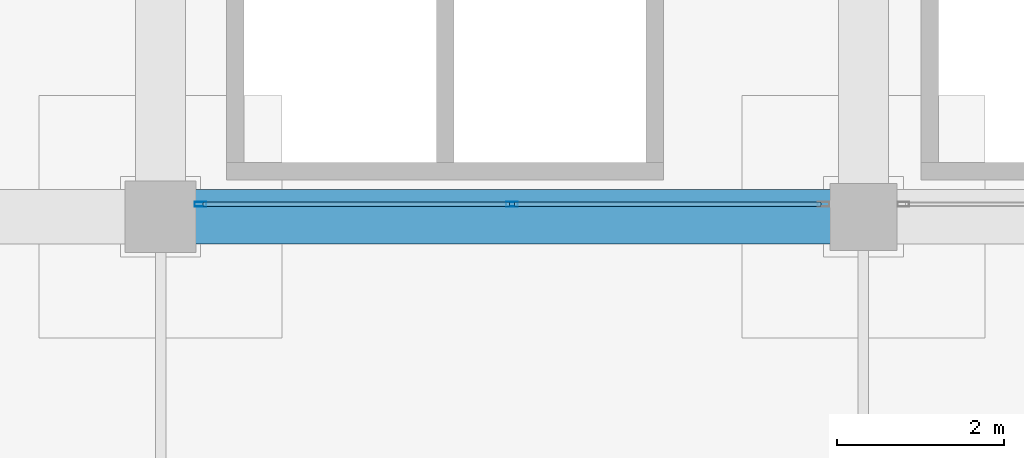
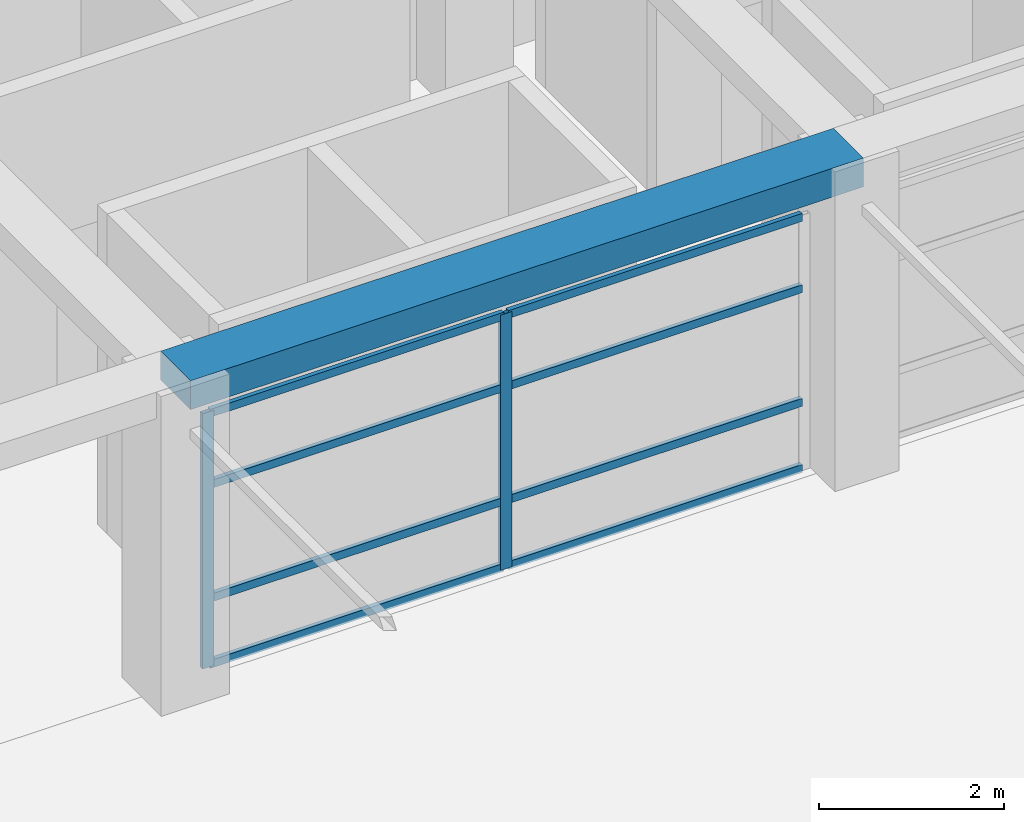
# One storey, part 33 of 85: 10 members, 1 beam, 1 element without a shape of its own.
"""IFC4 building model written with IfcOpenShell, lengths in metres."""

from ifc_helpers import new_model, si_unit, direction, frame, origin, origin_2d, place, context, subcontext, project, spatial, rectangle, hollow_rectangle, extrude, material, material_profile, profile_set, type_object, element, aggregate, save


model = new_model("IFC4")

# Units and contexts
model_context = context("Model", 3, precision=1e-05, world=origin(), true_north=direction((0.0, 1.0)))
body_context = subcontext(model_context, "Body", "Model", "MODEL_VIEW")
ifc_project = project(units=[si_unit("LENGTHUNIT", "METRE"), si_unit("AREAUNIT", "SQUARE_METRE"), si_unit("VOLUMEUNIT", "CUBIC_METRE"), si_unit("PLANEANGLEUNIT", "RADIAN"), si_unit("MASSUNIT", "GRAM", prefix="KILO")], contexts=[model_context])

# Site, building, storey
site_placement = place(None, origin())
site = spatial("IfcSite", under=ifc_project, at=site_placement, CompositionType="ELEMENT")
building_placement = place(site_placement, origin())
building = spatial("IfcBuilding", under=site, at=building_placement, Name="Almacenes y Pasaje Nevantli", CompositionType="ELEMENT")
storey_placement = place(building_placement, frame((0.0, 0.0, 22.199951171875)))
storey = spatial("IfcBuildingStorey", under=building, at=storey_placement, Name="L05", CompositionType="ELEMENT", Elevation=22.199951171875)

# Beam
ifc_material_1 = material(Name="Concrete C35/45", Category="concrete")
ifc_material_profile_1 = material_profile(ifc_material_1, rectangle(XDim=0.64990234375, YDim=0.3798828125, at=origin_2d()), Name="RC-BM-650x380")
ifc_profile_set_1 = profile_set([ifc_material_profile_1], Name="Concrete C35/45")
beam_type = type_object("IfcBeamType", Name="BM-RC-650x380", PredefinedType="BEAM", material=ifc_profile_set_1)
beam_placement = place(storey_placement, frame((117.60009765625, 67.199951171875, 4.030029296875), z_axis=(1.0, 0.0, 0.0), x_axis=(0.0, 1.0, 0.0)))
element("IfcBeam", 1, at=beam_placement, inside=storey, type_object=beam_type, Name="L05 East-West Reinforced Concrete Beam #3314", PredefinedType="BEAM", context=body_context, shape_type="SweptSolid", body=[
    extrude(rectangle(XDim=0.64990234375, YDim=0.3798828125, at=origin_2d()), origin(), (0.0, 0.0, 1.0), 8.39990234375),
])

# Curtain wall, members
ifc_material_2 = material(Name="Thermally Broken Aluminium and Low-E Glass", Category="aluminium")
curtain_wall_type = type_object("IfcCurtainWallType", Name="CW-STF-ATRIUM", PredefinedType="USERDEFINED", material=ifc_material_2)
curtain_wall_placement = place(storey_placement, origin())
curtain_wall = element("IfcCurtainWall", 2, at=curtain_wall_placement, inside=storey, type_object=curtain_wall_type, Name="L05 Sky-Lobby South Terrace Glazing Bay 15", ObjectType="STOREFRONT GLAZING", PredefinedType="USERDEFINED")
ifc_material_3 = material(Name="Thermally Broken Anodized Aluminium", Category="aluminium")
ifc_material_profile_2 = material_profile(ifc_material_3, hollow_rectangle(XDim=0.054931640625, YDim=0.139892578125, WallThickness=0.00341796875, at=origin_2d()), Name="ALU-MUL-55x140")
ifc_profile_set_2 = profile_set([ifc_material_profile_2], Name="Thermally Broken Anodized Aluminium")
member_type_1 = type_object("IfcMemberType", Name="CW-MUL-160", PredefinedType="MULLION", material=ifc_profile_set_2)
member_1_placement = place(storey_placement, frame((118.077392578125, 67.35009765625, 0.0), z_axis=(0.0, 0.0, 1.0), x_axis=(0.0, 1.0, 0.0)))
member_1 = element("IfcMember", 3, at=member_1_placement, type_object=member_type_1, Name="CW-L05-087 mullion 1", PredefinedType="MULLION", context=body_context, shape_type="SweptSolid", body=[
    extrude(hollow_rectangle(XDim=0.054931640625, YDim=0.139892578125, WallThickness=0.00341796875, at=origin_2d()), origin(), (0.0, 0.0, 1.0), 3.3701171875),
])
member_2_placement = place(storey_placement, frame((121.800048828125, 67.35009765625, 0.0), z_axis=(0.0, 0.0, 1.0), x_axis=(0.0, 1.0, 0.0)))
member_2 = element("IfcMember", 4, at=member_2_placement, type_object=member_type_1, Name="CW-L05-087 mullion 2", PredefinedType="MULLION", context=body_context, shape_type="SweptSolid", body=[
    extrude(hollow_rectangle(XDim=0.054931640625, YDim=0.139892578125, WallThickness=0.00341796875, at=origin_2d()), origin(), (0.0, 0.0, 1.0), 3.3701171875),
])
ifc_material_4 = material(Name="Thermally Broken Anodized Aluminium", Category="aluminium")
ifc_material_profile_3 = material_profile(ifc_material_4, hollow_rectangle(XDim=0.054931640625, YDim=0.10498046875, WallThickness=0.003173828125, at=origin_2d()), Name="ALU-TRN-55x105")
ifc_profile_set_3 = profile_set([ifc_material_profile_3], Name="Thermally Broken Anodized Aluminium")
member_type_2 = type_object("IfcMemberType", Name="CW-TRN-120", PredefinedType="USERDEFINED", material=ifc_profile_set_3)
member_3_placement = place(storey_placement, frame((118.10498046875, 67.35009765625, 0.027587890625), z_axis=(1.0, 0.0, 0.0), x_axis=(0.0, 1.0, 0.0)))
member_3 = element("IfcMember", 5, at=member_3_placement, type_object=member_type_2, Name="CW-L05-087 transom 1.1", ObjectType="TRANSOM", PredefinedType="USERDEFINED", context=body_context, shape_type="SweptSolid", body=[
    extrude(hollow_rectangle(XDim=0.054931640625, YDim=0.10498046875, WallThickness=0.003173828125, at=origin_2d()), origin(), (0.0, 0.0, 1.0), 3.66748046875),
])
member_4_placement = place(storey_placement, frame((118.10498046875, 67.35009765625, 0.900146484375), z_axis=(1.0, 0.0, 0.0), x_axis=(0.0, 1.0, 0.0)))
member_4 = element("IfcMember", 6, at=member_4_placement, type_object=member_type_2, Name="CW-L05-087 transom 1.2", ObjectType="TRANSOM", PredefinedType="USERDEFINED", context=body_context, shape_type="SweptSolid", body=[
    extrude(hollow_rectangle(XDim=0.054931640625, YDim=0.10498046875, WallThickness=0.003173828125, at=origin_2d()), origin(), (0.0, 0.0, 1.0), 3.66748046875),
])
member_5_placement = place(storey_placement, frame((118.10498046875, 67.35009765625, 2.400146484375), z_axis=(1.0, 0.0, 0.0), x_axis=(0.0, 1.0, 0.0)))
member_5 = element("IfcMember", 7, at=member_5_placement, type_object=member_type_2, Name="CW-L05-087 transom 1.3", ObjectType="TRANSOM", PredefinedType="USERDEFINED", context=body_context, shape_type="SweptSolid", body=[
    extrude(hollow_rectangle(XDim=0.054931640625, YDim=0.10498046875, WallThickness=0.003173828125, at=origin_2d()), origin(), (0.0, 0.0, 1.0), 3.66748046875),
])
member_6_placement = place(storey_placement, frame((118.10498046875, 67.35009765625, 3.342529296875), z_axis=(1.0, 0.0, 0.0), x_axis=(0.0, 1.0, 0.0)))
member_6 = element("IfcMember", 8, at=member_6_placement, type_object=member_type_2, Name="CW-L05-087 transom 1.4", ObjectType="TRANSOM", PredefinedType="USERDEFINED", context=body_context, shape_type="SweptSolid", body=[
    extrude(hollow_rectangle(XDim=0.054931640625, YDim=0.10498046875, WallThickness=0.003173828125, at=origin_2d()), origin(), (0.0, 0.0, 1.0), 3.66748046875),
])
member_7_placement = place(storey_placement, frame((121.827392578125, 67.35009765625, 0.027587890625), z_axis=(1.0, 0.0, 0.0), x_axis=(0.0, 1.0, 0.0)))
member_7 = element("IfcMember", 9, at=member_7_placement, type_object=member_type_2, Name="CW-L05-087 transom 2.1", ObjectType="TRANSOM", PredefinedType="USERDEFINED", context=body_context, shape_type="SweptSolid", body=[
    extrude(hollow_rectangle(XDim=0.054931640625, YDim=0.10498046875, WallThickness=0.003173828125, at=origin_2d()), origin(), (0.0, 0.0, 1.0), 3.667724609375),
])
member_8_placement = place(storey_placement, frame((121.827392578125, 67.35009765625, 0.900146484375), z_axis=(1.0, 0.0, 0.0), x_axis=(0.0, 1.0, 0.0)))
member_8 = element("IfcMember", 10, at=member_8_placement, type_object=member_type_2, Name="CW-L05-087 transom 2.2", ObjectType="TRANSOM", PredefinedType="USERDEFINED", context=body_context, shape_type="SweptSolid", body=[
    extrude(hollow_rectangle(XDim=0.054931640625, YDim=0.10498046875, WallThickness=0.003173828125, at=origin_2d()), origin(), (0.0, 0.0, 1.0), 3.667724609375),
])
member_9_placement = place(storey_placement, frame((121.827392578125, 67.35009765625, 2.400146484375), z_axis=(1.0, 0.0, 0.0), x_axis=(0.0, 1.0, 0.0)))
member_9 = element("IfcMember", 11, at=member_9_placement, type_object=member_type_2, Name="CW-L05-087 transom 2.3", ObjectType="TRANSOM", PredefinedType="USERDEFINED", context=body_context, shape_type="SweptSolid", body=[
    extrude(hollow_rectangle(XDim=0.054931640625, YDim=0.10498046875, WallThickness=0.003173828125, at=origin_2d()), origin(), (0.0, 0.0, 1.0), 3.667724609375),
])
member_10_placement = place(storey_placement, frame((121.827392578125, 67.35009765625, 3.342529296875), z_axis=(1.0, 0.0, 0.0), x_axis=(0.0, 1.0, 0.0)))
member_10 = element("IfcMember", 12, at=member_10_placement, type_object=member_type_2, Name="CW-L05-087 transom 2.4", ObjectType="TRANSOM", PredefinedType="USERDEFINED", context=body_context, shape_type="SweptSolid", body=[
    extrude(hollow_rectangle(XDim=0.054931640625, YDim=0.10498046875, WallThickness=0.003173828125, at=origin_2d()), origin(), (0.0, 0.0, 1.0), 3.667724609375),
])
aggregate(curtain_wall, [member_1, member_2, member_3, member_4, member_5, member_6, member_7, member_8, member_9, member_10])

save(model, "model.ifc")
